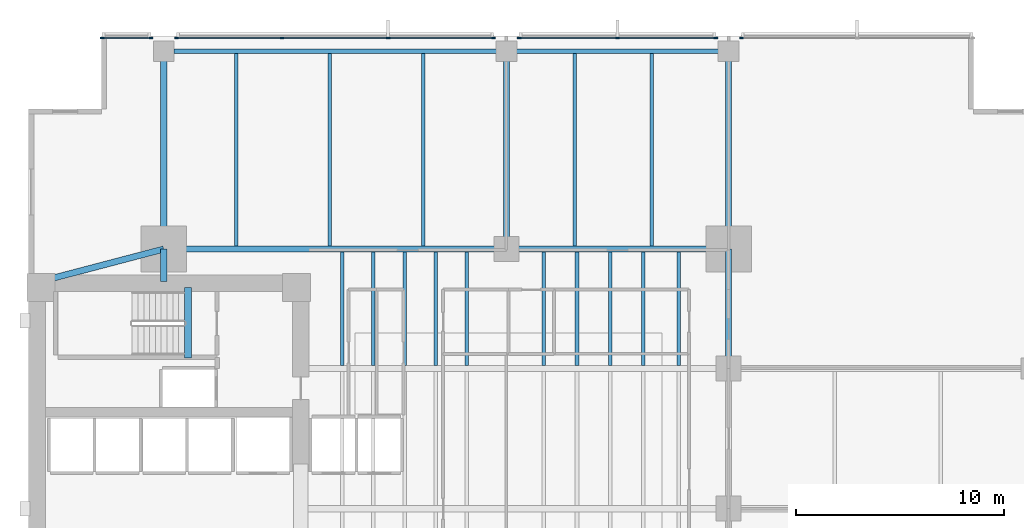
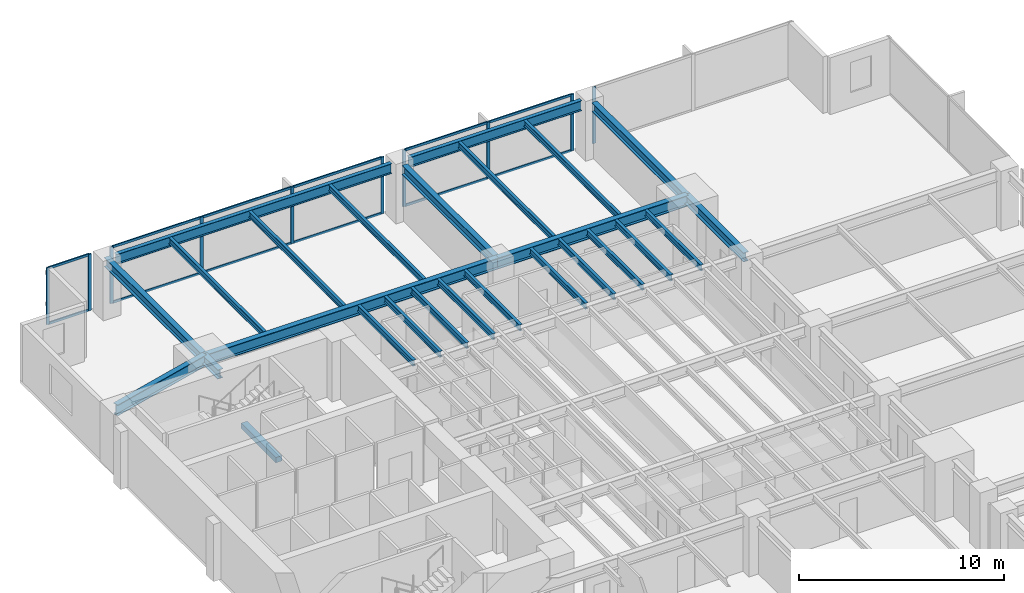
# One storey, part 5 of 15: 26 beams, 22 members, 4 elements without a shape of their own.
"""IFC4 building model written with IfcOpenShell, lengths in metres."""

from ifc_helpers import new_model, si_unit, direction, frame, origin, origin_2d, place, context, subcontext, project, spatial, rectangle, i_section, extrude, material, layer, layer_set, material_profile, profile_set, type_object, element, aggregate, save


model = new_model("IFC4")

# Units and contexts
model_context = context("Model", 3, precision=1e-05, world=origin(), true_north=direction((0.0, 1.0)))
body_context = subcontext(model_context, "Body", "Model", "MODEL_VIEW")
ifc_project = project(units=[si_unit("LENGTHUNIT", "METRE"), si_unit("AREAUNIT", "SQUARE_METRE"), si_unit("VOLUMEUNIT", "CUBIC_METRE"), si_unit("PLANEANGLEUNIT", "RADIAN"), si_unit("MASSUNIT", "GRAM", prefix="KILO")], contexts=[model_context])

# Site, building, storey
site_placement = place(None, origin())
site = spatial("IfcSite", under=ifc_project, at=site_placement, CompositionType="ELEMENT")
building_placement = place(site_placement, origin())
building = spatial("IfcBuilding", under=site, at=building_placement, Name="Kinhvarn Gate Tower", CompositionType="ELEMENT")
storey_placement = place(building_placement, frame((0.0, 0.0, 32.699951171875)))
storey = spatial("IfcBuildingStorey", under=building, at=storey_placement, Name="L07", CompositionType="ELEMENT", Elevation=32.699951171875)

# Beam
ifc_material_1 = material(Name="Concrete C50/60", Category="concrete")
ifc_material_profile_1 = material_profile(ifc_material_1, rectangle(XDim=0.340087890625, YDim=0.320068359375, at=origin_2d()), Name="RC 340x320")
ifc_profile_set_1 = profile_set([ifc_material_profile_1], Name="Concrete C50/60")
beam_type_1 = type_object("IfcBeamType", Name="BM-LND-500", PredefinedType="BEAM", material=ifc_profile_set_1)
beam_1_placement = place(storey_placement, frame((12.1650390625, 32.5, -0.159912109375), z_axis=(0.0, 1.0, 0.0), x_axis=(-1.0, 0.0, 0.0)))
element("IfcBeam", 1, at=beam_1_placement, inside=storey, type_object=beam_type_1, Name="Stair ST2 Landing Nosing Beam (L07)", PredefinedType="BEAM", context=body_context, shape_type="SweptSolid", body=[
    extrude(rectangle(XDim=0.340087890625, YDim=0.320068359375, at=origin_2d()), origin(), (0.0, 0.0, 1.0), 3.39990234375),
])

# Curtain wall, member
ifc_material_2 = material(Name="Anodised aluminium AW-6063", Category="aluminium")
ifc_layer = layer(ifc_material_2, 0.179931640625)
ifc_layer_set = layer_set([ifc_layer], Name="Anodised aluminium AW-6063")
curtain_wall_type = type_object("IfcCurtainWallType", Name="CW-SYS-2", PredefinedType="NOTDEFINED", material=ifc_layer_set)
curtain_wall_1_placement = place(storey_placement, origin())
curtain_wall_1 = element("IfcCurtainWall", 2, at=curtain_wall_1_placement, inside=storey, type_object=curtain_wall_type, Name="Curtain Wall CW2 (L07)", PredefinedType="NOTDEFINED")
ifc_material_profile_2 = material_profile(ifc_material_2, rectangle(XDim=0.070068359375, YDim=0.179931640625, at=origin_2d()), Name="ALU 70x180")
ifc_profile_set_2 = profile_set([ifc_material_profile_2], Name="Anodised aluminium AW-6063")
member_type_1 = type_object("IfcMemberType", Name="CW-MUL-180", PredefinedType="MULLION", material=ifc_profile_set_2)
member_1_placement = place(storey_placement, frame((38.81494140625, 47.909912109375, 0.0), z_axis=(0.0, 0.0, 1.0), x_axis=(0.0, -1.0, 0.0)))
member_1 = element("IfcMember", 3, at=member_1_placement, type_object=member_type_1, Name="CW2 mullion 3", PredefinedType="MULLION", context=body_context, shape_type="SweptSolid", body=[
    extrude(rectangle(XDim=0.070068359375, YDim=0.179931640625, at=origin_2d()), origin(), (0.0, 0.0, 1.0), 3.3701171875),
])
aggregate(curtain_wall_1, [member_1])

# Curtain wall, members
curtain_wall_2_placement = place(storey_placement, origin())
curtain_wall_2 = element("IfcCurtainWall", 4, at=curtain_wall_2_placement, inside=storey, type_object=curtain_wall_type, Name="Curtain Wall CW2 (L07)", PredefinedType="NOTDEFINED")
member_2_placement = place(storey_placement, frame((37.5849609375, 47.909912109375, 0.0), z_axis=(0.0, 0.0, 1.0), x_axis=(0.0, -1.0, 0.0)))
member_2 = element("IfcMember", 5, at=member_2_placement, type_object=member_type_1, Name="CW2 mullion 1", PredefinedType="MULLION", context=body_context, shape_type="SweptSolid", body=[
    extrude(rectangle(XDim=0.070068359375, YDim=0.179931640625, at=origin_2d()), origin(), (0.0, 0.0, 1.0), 3.3701171875),
])
member_3_placement = place(storey_placement, frame((32.85009765625, 47.909912109375, 0.0), z_axis=(0.0, 0.0, 1.0), x_axis=(0.0, -1.0, 0.0)))
member_3 = element("IfcMember", 6, at=member_3_placement, type_object=member_type_1, Name="CW2 mullion 2", PredefinedType="MULLION", context=body_context, shape_type="SweptSolid", body=[
    extrude(rectangle(XDim=0.070068359375, YDim=0.179931640625, at=origin_2d()), origin(), (0.0, 0.0, 1.0), 3.3701171875),
])
member_4_placement = place(storey_placement, frame((28.114990234375, 47.909912109375, 0.0), z_axis=(0.0, 0.0, 1.0), x_axis=(0.0, -1.0, 0.0)))
member_4 = element("IfcMember", 7, at=member_4_placement, type_object=member_type_1, Name="CW2 mullion 3", PredefinedType="MULLION", context=body_context, shape_type="SweptSolid", body=[
    extrude(rectangle(XDim=0.070068359375, YDim=0.179931640625, at=origin_2d()), origin(), (0.0, 0.0, 1.0), 3.3701171875),
])

curtain_wall_3_placement = place(storey_placement, origin())
curtain_wall_3 = element("IfcCurtainWall", 8, at=curtain_wall_3_placement, inside=storey, type_object=curtain_wall_type, Name="Curtain Wall CW2 (L07)", PredefinedType="NOTDEFINED")
member_5_placement = place(storey_placement, frame((26.885009765625, 47.909912109375, 0.0), z_axis=(0.0, 0.0, 1.0), x_axis=(0.0, -1.0, 0.0)))
member_5 = element("IfcMember", 9, at=member_5_placement, type_object=member_type_1, Name="CW2 mullion 1", PredefinedType="MULLION", context=body_context, shape_type="SweptSolid", body=[
    extrude(rectangle(XDim=0.070068359375, YDim=0.179931640625, at=origin_2d()), origin(), (0.0, 0.0, 1.0), 3.3701171875),
])
member_6_placement = place(storey_placement, frame((21.806640625, 47.909912109375, 0.0), z_axis=(0.0, 0.0, 1.0), x_axis=(0.0, -1.0, 0.0)))
member_6 = element("IfcMember", 10, at=member_6_placement, type_object=member_type_1, Name="CW2 mullion 2", PredefinedType="MULLION", context=body_context, shape_type="SweptSolid", body=[
    extrude(rectangle(XDim=0.070068359375, YDim=0.179931640625, at=origin_2d()), origin(), (0.0, 0.0, 1.0), 3.3701171875),
])
member_7_placement = place(storey_placement, frame((16.693359375, 47.909912109375, 0.0), z_axis=(0.0, 0.0, 1.0), x_axis=(0.0, -1.0, 0.0)))
member_7 = element("IfcMember", 11, at=member_7_placement, type_object=member_type_1, Name="CW2 mullion 3", PredefinedType="MULLION", context=body_context, shape_type="SweptSolid", body=[
    extrude(rectangle(XDim=0.070068359375, YDim=0.179931640625, at=origin_2d()), origin(), (0.0, 0.0, 1.0), 3.3701171875),
])
member_8_placement = place(storey_placement, frame((11.614990234375, 47.909912109375, 0.0), z_axis=(0.0, 0.0, 1.0), x_axis=(0.0, -1.0, 0.0)))
member_8 = element("IfcMember", 12, at=member_8_placement, type_object=member_type_1, Name="CW2 mullion 4", PredefinedType="MULLION", context=body_context, shape_type="SweptSolid", body=[
    extrude(rectangle(XDim=0.070068359375, YDim=0.179931640625, at=origin_2d()), origin(), (0.0, 0.0, 1.0), 3.3701171875),
])

curtain_wall_4_placement = place(storey_placement, origin())
curtain_wall_4 = element("IfcCurtainWall", 13, at=curtain_wall_4_placement, inside=storey, type_object=curtain_wall_type, Name="Curtain Wall CW2 (L07)", PredefinedType="NOTDEFINED")
member_9_placement = place(storey_placement, frame((10.385009765625, 47.909912109375, 0.0), z_axis=(0.0, 0.0, 1.0), x_axis=(0.0, -1.0, 0.0)))
member_9 = element("IfcMember", 14, at=member_9_placement, type_object=member_type_1, Name="CW2 mullion 1", PredefinedType="MULLION", context=body_context, shape_type="SweptSolid", body=[
    extrude(rectangle(XDim=0.070068359375, YDim=0.179931640625, at=origin_2d()), origin(), (0.0, 0.0, 1.0), 3.3701171875),
])
member_10_placement = place(storey_placement, frame((8.034912109375, 47.909912109375, 0.0), z_axis=(0.0, 0.0, 1.0), x_axis=(0.0, -1.0, 0.0)))
member_10 = element("IfcMember", 15, at=member_10_placement, type_object=member_type_1, Name="CW2 mullion 2", PredefinedType="MULLION", context=body_context, shape_type="SweptSolid", body=[
    extrude(rectangle(XDim=0.070068359375, YDim=0.179931640625, at=origin_2d()), origin(), (0.0, 0.0, 1.0), 3.3701171875),
])

# Member
ifc_material_profile_3 = material_profile(ifc_material_2, rectangle(XDim=0.070068359375, YDim=0.139892578125, at=origin_2d()), Name="ALU 70x140")
ifc_profile_set_3 = profile_set([ifc_material_profile_3], Name="Anodised aluminium AW-6063")
member_type_2 = type_object("IfcMemberType", Name="CW-TRN-140", PredefinedType="USERDEFINED", material=ifc_profile_set_3)
member_11_placement = place(storey_placement, frame((37.550048828125, 47.909912109375, 0.03515625), z_axis=(-1.0, 0.0, 0.0), x_axis=(0.0, -1.0, 0.0)))
member_11 = element("IfcMember", 16, at=member_11_placement, type_object=member_type_2, Name="CW2 transom 1.1", ObjectType="TRANSOM", PredefinedType="USERDEFINED", context=body_context, shape_type="SweptSolid", body=[
    extrude(rectangle(XDim=0.070068359375, YDim=0.139892578125, at=origin_2d()), origin(), (0.0, 0.0, 1.0), 4.6650390625),
])

member_12_placement = place(storey_placement, frame((37.550048828125, 47.909912109375, 3.3349609375), z_axis=(-1.0, 0.0, 0.0), x_axis=(0.0, -1.0, 0.0)))
member_12 = element("IfcMember", 17, at=member_12_placement, type_object=member_type_2, Name="CW2 transom 1.2", ObjectType="TRANSOM", PredefinedType="USERDEFINED", context=body_context, shape_type="SweptSolid", body=[
    extrude(rectangle(XDim=0.070068359375, YDim=0.139892578125, at=origin_2d()), origin(), (0.0, 0.0, 1.0), 4.6650390625),
])

member_13_placement = place(storey_placement, frame((32.81494140625, 47.909912109375, 0.03515625), z_axis=(-1.0, 0.0, 0.0), x_axis=(0.0, -1.0, 0.0)))
member_13 = element("IfcMember", 18, at=member_13_placement, type_object=member_type_2, Name="CW2 transom 2.1", ObjectType="TRANSOM", PredefinedType="USERDEFINED", context=body_context, shape_type="SweptSolid", body=[
    extrude(rectangle(XDim=0.070068359375, YDim=0.139892578125, at=origin_2d()), origin(), (0.0, 0.0, 1.0), 4.6650390625),
])

member_14_placement = place(storey_placement, frame((32.81494140625, 47.909912109375, 3.3349609375), z_axis=(-1.0, 0.0, 0.0), x_axis=(0.0, -1.0, 0.0)))
member_14 = element("IfcMember", 19, at=member_14_placement, type_object=member_type_2, Name="CW2 transom 2.2", ObjectType="TRANSOM", PredefinedType="USERDEFINED", context=body_context, shape_type="SweptSolid", body=[
    extrude(rectangle(XDim=0.070068359375, YDim=0.139892578125, at=origin_2d()), origin(), (0.0, 0.0, 1.0), 4.6650390625),
])

aggregate(curtain_wall_2, [member_2, member_3, member_4, member_11, member_12, member_13, member_14])

member_15_placement = place(storey_placement, frame((26.85009765625, 47.909912109375, 0.03515625), z_axis=(-1.0, 0.0, 0.0), x_axis=(0.0, -1.0, 0.0)))
member_15 = element("IfcMember", 20, at=member_15_placement, type_object=member_type_2, Name="CW2 transom 1.1", ObjectType="TRANSOM", PredefinedType="USERDEFINED", context=body_context, shape_type="SweptSolid", body=[
    extrude(rectangle(XDim=0.070068359375, YDim=0.139892578125, at=origin_2d()), origin(), (0.0, 0.0, 1.0), 5.008544921875),
])

member_16_placement = place(storey_placement, frame((26.85009765625, 47.909912109375, 3.3349609375), z_axis=(-1.0, 0.0, 0.0), x_axis=(0.0, -1.0, 0.0)))
member_16 = element("IfcMember", 21, at=member_16_placement, type_object=member_type_2, Name="CW2 transom 1.2", ObjectType="TRANSOM", PredefinedType="USERDEFINED", context=body_context, shape_type="SweptSolid", body=[
    extrude(rectangle(XDim=0.070068359375, YDim=0.139892578125, at=origin_2d()), origin(), (0.0, 0.0, 1.0), 5.008544921875),
])

member_17_placement = place(storey_placement, frame((21.771728515625, 47.909912109375, 0.03515625), z_axis=(-1.0, 0.0, 0.0), x_axis=(0.0, -1.0, 0.0)))
member_17 = element("IfcMember", 22, at=member_17_placement, type_object=member_type_2, Name="CW2 transom 2.1", ObjectType="TRANSOM", PredefinedType="USERDEFINED", context=body_context, shape_type="SweptSolid", body=[
    extrude(rectangle(XDim=0.070068359375, YDim=0.139892578125, at=origin_2d()), origin(), (0.0, 0.0, 1.0), 5.04345703125),
])

member_18_placement = place(storey_placement, frame((21.771728515625, 47.909912109375, 3.3349609375), z_axis=(-1.0, 0.0, 0.0), x_axis=(0.0, -1.0, 0.0)))
member_18 = element("IfcMember", 23, at=member_18_placement, type_object=member_type_2, Name="CW2 transom 2.2", ObjectType="TRANSOM", PredefinedType="USERDEFINED", context=body_context, shape_type="SweptSolid", body=[
    extrude(rectangle(XDim=0.070068359375, YDim=0.139892578125, at=origin_2d()), origin(), (0.0, 0.0, 1.0), 5.04345703125),
])

member_19_placement = place(storey_placement, frame((16.658447265625, 47.909912109375, 0.03515625), z_axis=(-1.0, 0.0, 0.0), x_axis=(0.0, -1.0, 0.0)))
member_19 = element("IfcMember", 24, at=member_19_placement, type_object=member_type_2, Name="CW2 transom 3.1", ObjectType="TRANSOM", PredefinedType="USERDEFINED", context=body_context, shape_type="SweptSolid", body=[
    extrude(rectangle(XDim=0.070068359375, YDim=0.139892578125, at=origin_2d()), origin(), (0.0, 0.0, 1.0), 5.008544921875),
])

member_20_placement = place(storey_placement, frame((16.658447265625, 47.909912109375, 3.3349609375), z_axis=(-1.0, 0.0, 0.0), x_axis=(0.0, -1.0, 0.0)))
member_20 = element("IfcMember", 25, at=member_20_placement, type_object=member_type_2, Name="CW2 transom 3.2", ObjectType="TRANSOM", PredefinedType="USERDEFINED", context=body_context, shape_type="SweptSolid", body=[
    extrude(rectangle(XDim=0.070068359375, YDim=0.139892578125, at=origin_2d()), origin(), (0.0, 0.0, 1.0), 5.008544921875),
])

aggregate(curtain_wall_3, [member_5, member_6, member_7, member_8, member_15, member_16, member_17, member_18, member_19, member_20])

member_21_placement = place(storey_placement, frame((10.35009765625, 47.909912109375, 0.03515625), z_axis=(-1.0, 0.0, 0.0), x_axis=(0.0, -1.0, 0.0)))
member_21 = element("IfcMember", 26, at=member_21_placement, type_object=member_type_2, Name="CW2 transom 1.1", ObjectType="TRANSOM", PredefinedType="USERDEFINED", context=body_context, shape_type="SweptSolid", body=[
    extrude(rectangle(XDim=0.070068359375, YDim=0.139892578125, at=origin_2d()), origin(), (0.0, 0.0, 1.0), 2.280029296875),
])

member_22_placement = place(storey_placement, frame((10.35009765625, 47.909912109375, 3.3349609375), z_axis=(-1.0, 0.0, 0.0), x_axis=(0.0, -1.0, 0.0)))
member_22 = element("IfcMember", 27, at=member_22_placement, type_object=member_type_2, Name="CW2 transom 1.2", ObjectType="TRANSOM", PredefinedType="USERDEFINED", context=body_context, shape_type="SweptSolid", body=[
    extrude(rectangle(XDim=0.070068359375, YDim=0.139892578125, at=origin_2d()), origin(), (0.0, 0.0, 1.0), 2.280029296875),
])

aggregate(curtain_wall_4, [member_9, member_10, member_21, member_22])

# Beams
ifc_material_3 = material(Name="Steel S355", Category="steel")
ifc_material_profile_4 = material_profile(ifc_material_3, i_section(OverallWidth=0.300048828125, OverallDepth=0.550048828125, WebThickness=0.014892578125, FlangeThickness=0.029052734375, at=origin_2d()), Name="HEB 550")
ifc_profile_set_4 = profile_set([ifc_material_profile_4], Name="Steel S355")
beam_type_2 = type_object("IfcBeamType", Name="STL-HEB550", PredefinedType="BEAM", material=ifc_profile_set_4)
beam_2_placement = place(storey_placement, frame((11.0, 36.199951171875, 3.094970703125), z_axis=(0.0, 1.0, 0.0), x_axis=(-1.0, 0.0, 0.0)))
element("IfcBeam", 28, at=beam_2_placement, inside=storey, type_object=beam_type_2, Name="Floor Beam PG-15 (L07 MCW-CN)", PredefinedType="BEAM", context=body_context, shape_type="SweptSolid", body=[
    extrude(i_section(OverallWidth=0.300048828125, OverallDepth=0.550048828125, WebThickness=0.014892578125, FlangeThickness=0.029052734375, at=origin_2d()), origin(), (0.0, 0.0, 1.0), 1.550048828125),
])
beam_3_placement = place(storey_placement, frame((11.0, 37.75, 3.094970703125), z_axis=(0.0, 1.0, 0.0), x_axis=(-1.0, 0.0, 0.0)))
element("IfcBeam", 29, at=beam_3_placement, inside=storey, type_object=beam_type_2, Name="Floor Beam PG-15 (L07 MCW-N)", PredefinedType="BEAM", context=body_context, shape_type="SweptSolid", body=[
    extrude(i_section(OverallWidth=0.300048828125, OverallDepth=0.550048828125, WebThickness=0.014892578125, FlangeThickness=0.029052734375, at=origin_2d()), origin(), (0.0, 0.0, 1.0), 9.530029296875),
])
for number, where, z_axis, x_axis, name in (
    (30, (27.5, 37.75, 3.094970703125), (0.0, 1.0, 0.0), (-1.0, 0.0, 0.0), "Floor Beam PG-15 (L07 SP27-N-TIE)"),
    (31, (38.199951171875, 37.75, 3.094970703125), (0.0, 1.0, 0.0), (-1.0, 0.0, 0.0), "Floor Beam PG-15 (L07 MCE-N)"),
):
    element("IfcBeam", number, at=place(storey_placement, frame(where, z_axis=z_axis, x_axis=x_axis)), inside=storey, type_object=beam_type_2, Name=name, PredefinedType="BEAM", context=body_context, shape_type="SweptSolid", body=[
        extrude(i_section(OverallWidth=0.300048828125, OverallDepth=0.550048828125, WebThickness=0.014892578125, FlangeThickness=0.029052734375, at=origin_2d()), origin(), (0.0, 0.0, 1.0), 9.044921875),
    ])
beam_4_placement = place(storey_placement, frame((38.199951171875, 32.0, 3.094970703125), z_axis=(0.0, 1.0, 0.0), x_axis=(-1.0, 0.0, 0.0)))
element("IfcBeam", 32, at=beam_4_placement, inside=storey, type_object=beam_type_2, Name="Floor Beam PG-15 (L07 MG-E-32)", PredefinedType="BEAM", context=body_context, shape_type="SweptSolid", body=[
    extrude(i_section(OverallWidth=0.300048828125, OverallDepth=0.550048828125, WebThickness=0.014892578125, FlangeThickness=0.029052734375, at=origin_2d()), origin(), (0.0, 0.0, 1.0), 5.75),
])
ifc_material_profile_5 = material_profile(ifc_material_3, i_section(OverallWidth=0.300048828125, OverallDepth=0.64990234375, WebThickness=0.01611328125, FlangeThickness=0.031005859375, at=origin_2d()), Name="HEB 650")
ifc_profile_set_5 = profile_set([ifc_material_profile_5], Name="Steel S355")
beam_type_3 = type_object("IfcBeamType", Name="STL-HEB650", PredefinedType="BEAM", material=ifc_profile_set_5)
beam_5_placement = place(storey_placement, frame((11.0, 37.75, 3.045166015625), z_axis=(1.0, 0.0, 0.0), x_axis=(0.0, 1.0, 0.0)))
element("IfcBeam", 33, at=beam_5_placement, inside=storey, type_object=beam_type_3, Name="Floor Beam PG-17 (L07 MG-N1)", PredefinedType="BEAM", context=body_context, shape_type="SweptSolid", body=[
    extrude(i_section(OverallWidth=0.300048828125, OverallDepth=0.64990234375, WebThickness=0.01611328125, FlangeThickness=0.031005859375, at=origin_2d()), origin(), (0.0, 0.0, 1.0), 16.5),
])
beam_6_placement = place(storey_placement, frame((27.5, 37.75, 3.045166015625), z_axis=(1.0, 0.0, 0.0), x_axis=(0.0, 1.0, 0.0)))
element("IfcBeam", 34, at=beam_6_placement, inside=storey, type_object=beam_type_3, Name="Floor Beam PG-17 (L07 MG-N2)", PredefinedType="BEAM", context=body_context, shape_type="SweptSolid", body=[
    extrude(i_section(OverallWidth=0.300048828125, OverallDepth=0.64990234375, WebThickness=0.01611328125, FlangeThickness=0.031005859375, at=origin_2d()), origin(), (0.0, 0.0, 1.0), 10.699951171875),
])
beam_7_placement = place(storey_placement, frame((5.10009765625, 36.199951171875, 3.045166015625), z_axis=(0.967177623957, 0.254101246979, 0.0), x_axis=(-0.254101246979, 0.967177623957, 0.0)))
element("IfcBeam", 35, at=beam_7_placement, inside=storey, type_object=beam_type_3, Name="Floor Beam PG-17 (L07 MG-NW-DIAG)", PredefinedType="BEAM", context=body_context, shape_type="SweptSolid", body=[
    extrude(i_section(OverallWidth=0.300048828125, OverallDepth=0.64990234375, WebThickness=0.01611328125, FlangeThickness=0.031005859375, at=origin_2d()), origin(), (0.0, 0.0, 1.0), 6.10009765625),
])
ifc_material_profile_6 = material_profile(ifc_material_3, i_section(OverallWidth=0.169921875, OverallDepth=0.360107421875, WebThickness=0.008056640625, FlangeThickness=0.0126953125, at=origin_2d()), Name="IPE 360")
ifc_profile_set_6 = profile_set([ifc_material_profile_6], Name="Steel S355")
beam_type_4 = type_object("IfcBeamType", Name="STL-IPE360", PredefinedType="JOIST", material=ifc_profile_set_6)
for number, where, z_axis, x_axis, name in (
    (36, (19.60009765625, 32.14990234375, 3.18994140625), (0.0, 1.0, 0.0), (-1.0, 0.0, 0.0), "Floor Joist SB-04 (L07 JC-X196-3)"),
    (37, (21.10009765625, 32.14990234375, 3.18994140625), (0.0, 1.0, 0.0), (-1.0, 0.0, 0.0), "Floor Joist SB-04 (L07 JC-X211-3)"),
    (38, (22.60009765625, 32.14990234375, 3.18994140625), (0.0, 1.0, 0.0), (-1.0, 0.0, 0.0), "Floor Joist SB-04 (L07 JC-X226-3)"),
    (39, (24.10009765625, 32.14990234375, 3.18994140625), (0.0, 1.0, 0.0), (-1.0, 0.0, 0.0), "Floor Joist SB-04 (L07 JC-X241-3)"),
    (40, (25.60009765625, 32.14990234375, 3.18994140625), (0.0, 1.0, 0.0), (-1.0, 0.0, 0.0), "Floor Joist SB-04 (L07 JC-X256-3)"),
    (41, (29.300048828125, 32.14990234375, 3.18994140625), (0.0, 1.0, 0.0), (-1.0, 0.0, 0.0), "Floor Joist SB-04 (L07 JC-X293-3)"),
    (42, (30.89990234375, 32.14990234375, 3.18994140625), (0.0, 1.0, 0.0), (-1.0, 0.0, 0.0), "Floor Joist SB-04 (L07 JC-X309-3)"),
    (43, (32.5, 32.14990234375, 3.18994140625), (0.0, 1.0, 0.0), (-1.0, 0.0, 0.0), "Floor Joist SB-04 (L07 JC-X325-3)"),
    (44, (34.10009765625, 32.14990234375, 3.18994140625), (0.0, 1.0, 0.0), (-1.0, 0.0, 0.0), "Floor Joist SB-04 (L07 JC-X341-3)"),
    (45, (35.800048828125, 32.14990234375, 3.18994140625), (0.0, 1.0, 0.0), (-1.0, 0.0, 0.0), "Floor Joist SB-04 (L07 JC-X358-3)"),
):
    element("IfcBeam", number, at=place(storey_placement, frame(where, z_axis=z_axis, x_axis=x_axis)), inside=storey, type_object=beam_type_4, Name=name, PredefinedType="JOIST", context=body_context, shape_type="SweptSolid", body=[
        extrude(i_section(OverallWidth=0.169921875, OverallDepth=0.360107421875, WebThickness=0.008056640625, FlangeThickness=0.0126953125, at=origin_2d()), origin(), (0.0, 0.0, 1.0), 5.4501953125),
    ])
for number, where, z_axis, x_axis, name in (
    (46, (14.5, 37.89990234375, 3.18994140625), (0.0, 1.0, 0.0), (-1.0, 0.0, 0.0), "Floor Joist SB-04 (L07 JN-X145)"),
    (47, (19.0, 37.89990234375, 3.18994140625), (0.0, 1.0, 0.0), (-1.0, 0.0, 0.0), "Floor Joist SB-04 (L07 JN-X190)"),
    (48, (23.5, 37.89990234375, 3.18994140625), (0.0, 1.0, 0.0), (-1.0, 0.0, 0.0), "Floor Joist SB-04 (L07 JN-X235)"),
    (49, (30.800048828125, 37.89990234375, 3.18994140625), (0.0, 1.0, 0.0), (-1.0, 0.0, 0.0), "Floor Joist SB-04 (L07 JN-X308)"),
    (50, (34.5, 37.89990234375, 3.18994140625), (0.0, 1.0, 0.0), (-1.0, 0.0, 0.0), "Floor Joist SB-04 (L07 JN-X345)"),
):
    element("IfcBeam", number, at=place(storey_placement, frame(where, z_axis=z_axis, x_axis=x_axis)), inside=storey, type_object=beam_type_4, Name=name, PredefinedType="JOIST", context=body_context, shape_type="SweptSolid", body=[
        extrude(i_section(OverallWidth=0.169921875, OverallDepth=0.360107421875, WebThickness=0.008056640625, FlangeThickness=0.0126953125, at=origin_2d()), origin(), (0.0, 0.0, 1.0), 9.27001953125),
    ])
ifc_material_profile_7 = material_profile(ifc_material_3, i_section(OverallWidth=0.219970703125, OverallDepth=0.60009765625, WebThickness=0.011962890625, FlangeThickness=0.01904296875, at=origin_2d()), Name="IPE 600")
ifc_profile_set_7 = profile_set([ifc_material_profile_7], Name="Steel S355")
beam_type_5 = type_object("IfcBeamType", Name="STL-IPE600", PredefinedType="SPANDREL", material=ifc_profile_set_7)
beam_8_placement = place(storey_placement, frame((11.485107421875, 47.280029296875, 3.070068359375), z_axis=(1.0, 0.0, 0.0), x_axis=(0.0, 1.0, 0.0)))
element("IfcBeam", 51, at=beam_8_placement, inside=storey, type_object=beam_type_5, Name="Floor Spandrel SB-09 (L07 SP-N1)", PredefinedType="SPANDREL", context=body_context, shape_type="SweptSolid", body=[
    extrude(i_section(OverallWidth=0.219970703125, OverallDepth=0.60009765625, WebThickness=0.011962890625, FlangeThickness=0.01904296875, at=origin_2d()), origin(), (0.0, 0.0, 1.0), 15.52978515625),
])
beam_9_placement = place(storey_placement, frame((27.985107421875, 47.280029296875, 3.070068359375), z_axis=(1.0, 0.0, 0.0), x_axis=(0.0, 1.0, 0.0)))
element("IfcBeam", 52, at=beam_9_placement, inside=storey, type_object=beam_type_5, Name="Floor Spandrel SB-09 (L07 SP-N2)", PredefinedType="SPANDREL", context=body_context, shape_type="SweptSolid", body=[
    extrude(i_section(OverallWidth=0.219970703125, OverallDepth=0.60009765625, WebThickness=0.011962890625, FlangeThickness=0.01904296875, at=origin_2d()), origin(), (0.0, 0.0, 1.0), 9.72998046875),
])

save(model, "model.ifc")
